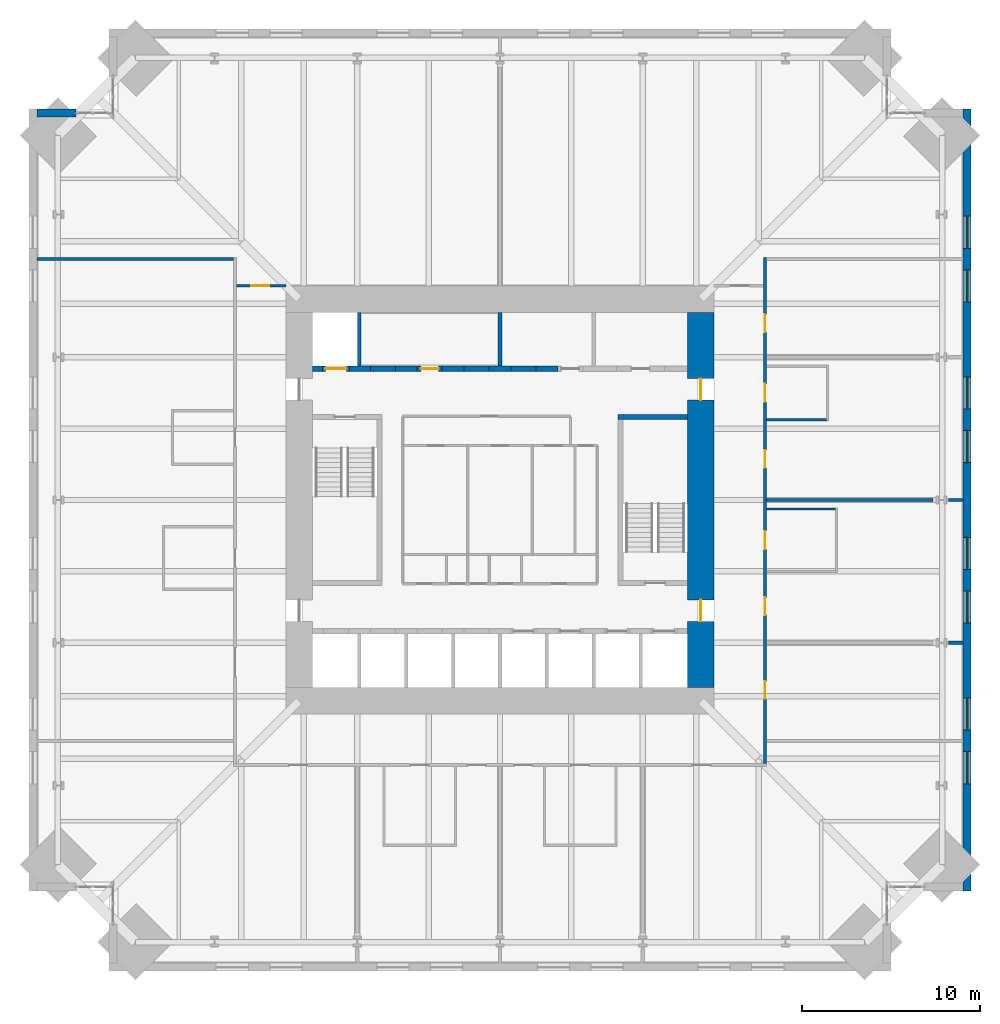
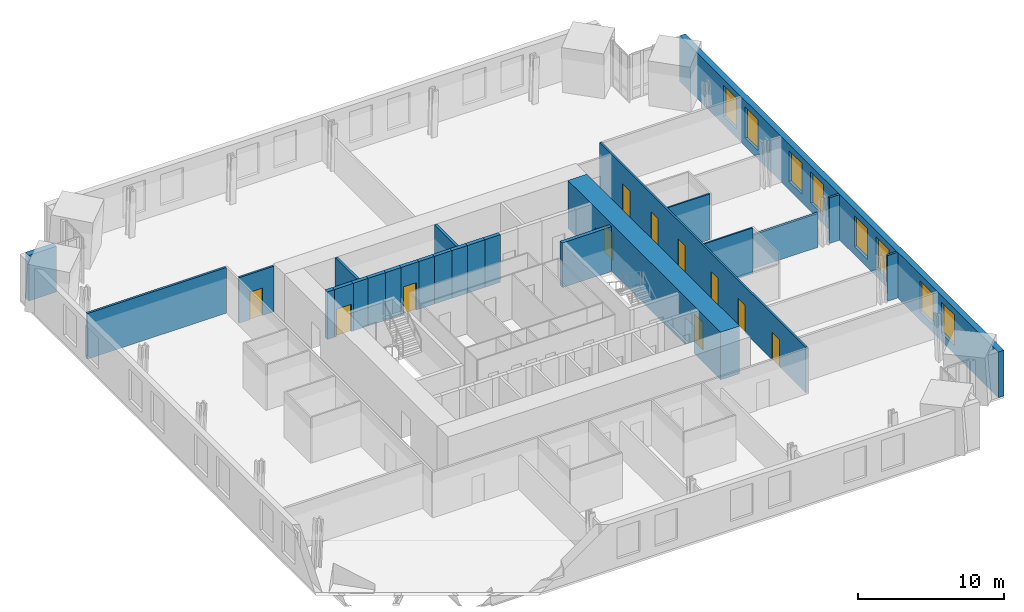
# One storey, part 16 of 18: 25 walls, 11 doors, 8 windows, 19 openings.
"""IFC4 building model written with IfcOpenShell, lengths in metres."""

from ifc_helpers import new_model, si_unit, direction, frame, frame_2d, origin, place, context, subcontext, project, spatial, rectangle, extrude, material, layer, layer_set, type_object, element, fill, save


model = new_model("IFC4")

# Units and contexts
model_context = context("Model", 3, precision=1e-05, world=origin(), true_north=direction((0.0, 1.0)))
body_context = subcontext(model_context, "Body", "Model", "MODEL_VIEW")
ifc_project = project(units=[si_unit("LENGTHUNIT", "METRE"), si_unit("AREAUNIT", "SQUARE_METRE"), si_unit("VOLUMEUNIT", "CUBIC_METRE"), si_unit("PLANEANGLEUNIT", "RADIAN"), si_unit("MASSUNIT", "GRAM", prefix="KILO")], contexts=[model_context])

# Site, building, storey
site_placement = place(None, origin())
site = spatial("IfcSite", under=ifc_project, at=site_placement, CompositionType="ELEMENT")
building_placement = place(site_placement, origin())
building = spatial("IfcBuilding", under=site, at=building_placement, Name="Peilmerk Tower", CompositionType="ELEMENT")
storey_placement = place(building_placement, frame((0.0, 0.0, 151.800048828125)))
storey = spatial("IfcBuildingStorey", under=building, at=storey_placement, Name="L31", CompositionType="ELEMENT", Elevation=151.800048828125)

# Wall, openings, windows
ifc_material_1 = material(Name="Precast concrete C45/55, board-marked finish", Category="concrete")
ifc_layer_1 = layer(ifc_material_1, 0.449951171875)
ifc_layer_set_1 = layer_set([ifc_layer_1], Name="Precast concrete C45/55, board-marked finish")
wall_type_1 = type_object("IfcWallType", Name="EW1 450 precast concrete facade wall, board-marked", PredefinedType="SOLIDWALL", material=ifc_layer_set_1)
wall_1_placement = place(storey_placement, frame((26.175048828125, -21.89990234375, 0.0), z_axis=(0.0, 0.0, 1.0), x_axis=(0.0, 1.0, 0.0)))
wall_1 = element("IfcWall", 1, at=wall_1_placement, inside=storey, type_object=wall_type_1, Name="Facade wall E L31", PredefinedType="SOLIDWALL", context=body_context, shape_type="SweptSolid", body=[
    extrude(rectangle(XDim=43.7998046875, YDim=0.449951171875, at=frame_2d((21.89990234375, 0.0))), origin(), (0.0, 0.0, 1.0), 3.829833984375),
])
opening_1_placement = place(wall_1_placement, frame((6.0, 0.0, 0.699951171875)))
opening_1 = element("IfcOpeningElement", 2, at=opening_1_placement, cuts=wall_1, Name="Opening W1", PredefinedType="OPENING", context=body_context, shape_type="SweptSolid", body=[
    extrude(rectangle(XDim=1.800048828125, YDim=2.60009765625, at=frame_2d((0.89990234375, 1.300048828125))), frame((0.0, 0.23486328125, 0.0), z_axis=(0.0, -1.0, 0.0), x_axis=(1.0, 0.0, 0.0)), (0.0, 0.0, 1.0), 0.469970703125),
])
opening_2_placement = place(wall_1_placement, frame((9.0, 0.0, 0.699951171875)))
opening_2 = element("IfcOpeningElement", 3, at=opening_2_placement, cuts=wall_1, Name="Opening W1", PredefinedType="OPENING", context=body_context, shape_type="SweptSolid", body=[
    extrude(rectangle(XDim=1.800048828125, YDim=2.60009765625, at=frame_2d((0.89990234375, 1.300048828125))), frame((0.0, 0.23486328125, 0.0), z_axis=(0.0, -1.0, 0.0), x_axis=(1.0, 0.0, 0.0)), (0.0, 0.0, 1.0), 0.469970703125),
])
opening_3_placement = place(wall_1_placement, frame((15.0, 0.0, 0.699951171875)))
opening_3 = element("IfcOpeningElement", 4, at=opening_3_placement, cuts=wall_1, Name="Opening W1", PredefinedType="OPENING", context=body_context, shape_type="SweptSolid", body=[
    extrude(rectangle(XDim=1.800048828125, YDim=2.60009765625, at=frame_2d((0.89990234375, 1.300048828125))), frame((0.0, 0.23486328125, 0.0), z_axis=(0.0, -1.0, 0.0), x_axis=(1.0, 0.0, 0.0)), (0.0, 0.0, 1.0), 0.469970703125),
])
opening_4_placement = place(wall_1_placement, frame((18.0, 0.0, 0.699951171875)))
opening_4 = element("IfcOpeningElement", 5, at=opening_4_placement, cuts=wall_1, Name="Opening W1", PredefinedType="OPENING", context=body_context, shape_type="SweptSolid", body=[
    extrude(rectangle(XDim=1.800048828125, YDim=2.60009765625, at=frame_2d((0.89990234375, 1.300048828125))), frame((0.0, 0.23486328125, 0.0), z_axis=(0.0, -1.0, 0.0), x_axis=(1.0, 0.0, 0.0)), (0.0, 0.0, 1.0), 0.469970703125),
])
opening_5_placement = place(wall_1_placement, frame((24.0, 0.0, 0.699951171875)))
opening_5 = element("IfcOpeningElement", 6, at=opening_5_placement, cuts=wall_1, Name="Opening W1", PredefinedType="OPENING", context=body_context, shape_type="SweptSolid", body=[
    extrude(rectangle(XDim=1.800048828125, YDim=2.60009765625, at=frame_2d((0.89990234375, 1.300048828125))), frame((0.0, 0.23486328125, 0.0), z_axis=(0.0, -1.0, 0.0), x_axis=(1.0, 0.0, 0.0)), (0.0, 0.0, 1.0), 0.469970703125),
])
opening_6_placement = place(wall_1_placement, frame((27.0, 0.0, 0.699951171875)))
opening_6 = element("IfcOpeningElement", 7, at=opening_6_placement, cuts=wall_1, Name="Opening W1", PredefinedType="OPENING", context=body_context, shape_type="SweptSolid", body=[
    extrude(rectangle(XDim=1.800048828125, YDim=2.60009765625, at=frame_2d((0.89990234375, 1.300048828125))), frame((0.0, 0.23486328125, 0.0), z_axis=(0.0, -1.0, 0.0), x_axis=(1.0, 0.0, 0.0)), (0.0, 0.0, 1.0), 0.469970703125),
])
opening_7_placement = place(wall_1_placement, frame((33.0, 0.0, 0.699951171875)))
opening_7 = element("IfcOpeningElement", 8, at=opening_7_placement, cuts=wall_1, Name="Opening W1", PredefinedType="OPENING", context=body_context, shape_type="SweptSolid", body=[
    extrude(rectangle(XDim=1.800048828125, YDim=2.60009765625, at=frame_2d((0.89990234375, 1.300048828125))), frame((0.0, 0.23486328125, 0.0), z_axis=(0.0, -1.0, 0.0), x_axis=(1.0, 0.0, 0.0)), (0.0, 0.0, 1.0), 0.469970703125),
])
opening_8_placement = place(wall_1_placement, frame((36.0, 0.0, 0.699951171875)))
opening_8 = element("IfcOpeningElement", 9, at=opening_8_placement, cuts=wall_1, Name="Opening W1", PredefinedType="OPENING", context=body_context, shape_type="SweptSolid", body=[
    extrude(rectangle(XDim=1.800048828125, YDim=2.60009765625, at=frame_2d((0.89990234375, 1.300048828125))), frame((0.0, 0.23486328125, 0.0), z_axis=(0.0, -1.0, 0.0), x_axis=(1.0, 0.0, 0.0)), (0.0, 0.0, 1.0), 0.469970703125),
])
ifc_material_2 = material(Name="Aluminium frame, clear double glazing", Category="aluminium")
window_type = type_object("IfcWindowType", Name="W1 1800x2600 office window", PartitioningType="SINGLE_PANEL", PredefinedType="WINDOW", material=ifc_material_2)
window_1_placement = place(opening_1_placement, origin())
window_1 = element("IfcWindow", 10, at=window_1_placement, inside=storey, type_object=window_type, Name="Window W1 L31", OverallHeight=2.60009765625, OverallWidth=1.800048828125, PartitioningType="SINGLE_PANEL", PredefinedType="WINDOW", context=body_context, shape_type="SweptSolid", body=[
    extrude(rectangle(XDim=1.800048828125, YDim=2.60009765625, at=frame_2d((0.89990234375, 1.300048828125))), frame((0.0, 0.030029296875, 0.0), z_axis=(0.0, -1.0, 0.0), x_axis=(1.0, 0.0, 0.0)), (0.0, 0.0, 1.0), 0.06005859375),
])
fill(opening_1, window_1)
window_2_placement = place(opening_2_placement, origin())
window_2 = element("IfcWindow", 11, at=window_2_placement, inside=storey, type_object=window_type, Name="Window W1 L31", OverallHeight=2.60009765625, OverallWidth=1.800048828125, PartitioningType="SINGLE_PANEL", PredefinedType="WINDOW", context=body_context, shape_type="SweptSolid", body=[
    extrude(rectangle(XDim=1.800048828125, YDim=2.60009765625, at=frame_2d((0.89990234375, 1.300048828125))), frame((0.0, 0.030029296875, 0.0), z_axis=(0.0, -1.0, 0.0), x_axis=(1.0, 0.0, 0.0)), (0.0, 0.0, 1.0), 0.06005859375),
])
fill(opening_2, window_2)
window_3_placement = place(opening_3_placement, origin())
window_3 = element("IfcWindow", 12, at=window_3_placement, inside=storey, type_object=window_type, Name="Window W1 L31", OverallHeight=2.60009765625, OverallWidth=1.800048828125, PartitioningType="SINGLE_PANEL", PredefinedType="WINDOW", context=body_context, shape_type="SweptSolid", body=[
    extrude(rectangle(XDim=1.800048828125, YDim=2.60009765625, at=frame_2d((0.89990234375, 1.300048828125))), frame((0.0, 0.030029296875, 0.0), z_axis=(0.0, -1.0, 0.0), x_axis=(1.0, 0.0, 0.0)), (0.0, 0.0, 1.0), 0.06005859375),
])
fill(opening_3, window_3)
window_4_placement = place(opening_4_placement, origin())
window_4 = element("IfcWindow", 13, at=window_4_placement, inside=storey, type_object=window_type, Name="Window W1 L31", OverallHeight=2.60009765625, OverallWidth=1.800048828125, PartitioningType="SINGLE_PANEL", PredefinedType="WINDOW", context=body_context, shape_type="SweptSolid", body=[
    extrude(rectangle(XDim=1.800048828125, YDim=2.60009765625, at=frame_2d((0.89990234375, 1.300048828125))), frame((0.0, 0.030029296875, 0.0), z_axis=(0.0, -1.0, 0.0), x_axis=(1.0, 0.0, 0.0)), (0.0, 0.0, 1.0), 0.06005859375),
])
fill(opening_4, window_4)
window_5_placement = place(opening_5_placement, origin())
window_5 = element("IfcWindow", 14, at=window_5_placement, inside=storey, type_object=window_type, Name="Window W1 L31", OverallHeight=2.60009765625, OverallWidth=1.800048828125, PartitioningType="SINGLE_PANEL", PredefinedType="WINDOW", context=body_context, shape_type="SweptSolid", body=[
    extrude(rectangle(XDim=1.800048828125, YDim=2.60009765625, at=frame_2d((0.89990234375, 1.300048828125))), frame((0.0, 0.030029296875, 0.0), z_axis=(0.0, -1.0, 0.0), x_axis=(1.0, 0.0, 0.0)), (0.0, 0.0, 1.0), 0.06005859375),
])
fill(opening_5, window_5)
window_6_placement = place(opening_6_placement, origin())
window_6 = element("IfcWindow", 15, at=window_6_placement, inside=storey, type_object=window_type, Name="Window W1 L31", OverallHeight=2.60009765625, OverallWidth=1.800048828125, PartitioningType="SINGLE_PANEL", PredefinedType="WINDOW", context=body_context, shape_type="SweptSolid", body=[
    extrude(rectangle(XDim=1.800048828125, YDim=2.60009765625, at=frame_2d((0.89990234375, 1.300048828125))), frame((0.0, 0.030029296875, 0.0), z_axis=(0.0, -1.0, 0.0), x_axis=(1.0, 0.0, 0.0)), (0.0, 0.0, 1.0), 0.06005859375),
])
fill(opening_6, window_6)
window_7_placement = place(opening_7_placement, origin())
window_7 = element("IfcWindow", 16, at=window_7_placement, inside=storey, type_object=window_type, Name="Window W1 L31", OverallHeight=2.60009765625, OverallWidth=1.800048828125, PartitioningType="SINGLE_PANEL", PredefinedType="WINDOW", context=body_context, shape_type="SweptSolid", body=[
    extrude(rectangle(XDim=1.800048828125, YDim=2.60009765625, at=frame_2d((0.89990234375, 1.300048828125))), frame((0.0, 0.030029296875, 0.0), z_axis=(0.0, -1.0, 0.0), x_axis=(1.0, 0.0, 0.0)), (0.0, 0.0, 1.0), 0.06005859375),
])
fill(opening_7, window_7)
window_8_placement = place(opening_8_placement, origin())
window_8 = element("IfcWindow", 17, at=window_8_placement, inside=storey, type_object=window_type, Name="Window W1 L31", OverallHeight=2.60009765625, OverallWidth=1.800048828125, PartitioningType="SINGLE_PANEL", PredefinedType="WINDOW", context=body_context, shape_type="SweptSolid", body=[
    extrude(rectangle(XDim=1.800048828125, YDim=2.60009765625, at=frame_2d((0.89990234375, 1.300048828125))), frame((0.0, 0.030029296875, 0.0), z_axis=(0.0, -1.0, 0.0), x_axis=(1.0, 0.0, 0.0)), (0.0, 0.0, 1.0), 0.06005859375),
])
fill(opening_8, window_8)

# Wall
wall_2_placement = place(storey_placement, frame((-23.753662109375, 21.675048828125, 0.0), z_axis=(0.0, 0.0, 1.0), x_axis=(-1.0, 0.0, 0.0)))
element("IfcWall", 18, at=wall_2_placement, inside=storey, type_object=wall_type_1, Name="Facade wall NWB L31", PredefinedType="SOLIDWALL", context=body_context, shape_type="SweptSolid", body=[
    extrude(rectangle(XDim=2.1962890625, YDim=0.449951171875, at=frame_2d((1.09814453125, 0.0))), origin(), (0.0, 0.0, 1.0), 3.829833984375),
])

# Wall, openings, doors
ifc_material_3 = material(Name="Calcium silicate block", Category="masonry")
ifc_layer_2 = layer(ifc_material_3, 0.14990234375)
ifc_layer_set_2 = layer_set([ifc_layer_2], Name="Calcium silicate block")
wall_type_2 = type_object("IfcWallType", Name="IW1 150 corridor partition, EI 60", PredefinedType="PARTITIONING", material=ifc_layer_set_2)
wall_3_placement = place(storey_placement, frame((14.85009765625, -14.77490234375, 0.0), z_axis=(0.0, 0.0, 1.0), x_axis=(0.0, 1.0, 0.0)))
wall_3 = element("IfcWall", 19, at=wall_3_placement, inside=storey, type_object=wall_type_2, Name="Corridor wall E L31", PredefinedType="PARTITIONING", context=body_context, shape_type="SweptSolid", body=[
    extrude(rectangle(XDim=28.349853515625, YDim=0.14990234375, at=frame_2d((14.1748046875, 0.0))), origin(), (0.0, 0.0, 1.0), 3.829833984375),
])
opening_9_placement = place(wall_3_placement, frame((3.625, 0.0, 0.0)))
opening_9 = element("IfcOpeningElement", 20, at=opening_9_placement, cuts=wall_3, Name="Opening D1", PredefinedType="OPENING", context=body_context, shape_type="SweptSolid", body=[
    extrude(rectangle(XDim=1.0, YDim=2.300048828125, at=frame_2d((0.5, 1.14990234375))), frame((0.0, 0.0849609375, 0.0), z_axis=(0.0, -1.0, 0.0), x_axis=(1.0, 0.0, 0.0)), (0.0, 0.0, 1.0), 0.169921875),
])
opening_10_placement = place(wall_3_placement, frame((8.324951171875, 0.0, 0.0)))
opening_10 = element("IfcOpeningElement", 21, at=opening_10_placement, cuts=wall_3, Name="Opening D1", PredefinedType="OPENING", context=body_context, shape_type="SweptSolid", body=[
    extrude(rectangle(XDim=1.0, YDim=2.300048828125, at=frame_2d((0.5, 1.14990234375))), frame((0.0, 0.0849609375, 0.0), z_axis=(0.0, -1.0, 0.0), x_axis=(1.0, 0.0, 0.0)), (0.0, 0.0, 1.0), 0.169921875),
])
opening_11_placement = place(wall_3_placement, frame((16.574951171875, 0.0, 0.0)))
opening_11 = element("IfcOpeningElement", 22, at=opening_11_placement, cuts=wall_3, Name="Opening D1", PredefinedType="OPENING", context=body_context, shape_type="SweptSolid", body=[
    extrude(rectangle(XDim=1.0, YDim=2.300048828125, at=frame_2d((0.5, 1.14990234375))), frame((0.0, 0.0849609375, 0.0), z_axis=(0.0, -1.0, 0.0), x_axis=(1.0, 0.0, 0.0)), (0.0, 0.0, 1.0), 0.169921875),
])
opening_12_placement = place(wall_3_placement, frame((24.175048828125, 0.0, 0.0)))
opening_12 = element("IfcOpeningElement", 23, at=opening_12_placement, cuts=wall_3, Name="Opening D1", PredefinedType="OPENING", context=body_context, shape_type="SweptSolid", body=[
    extrude(rectangle(XDim=1.0, YDim=2.300048828125, at=frame_2d((0.5, 1.14990234375))), frame((0.0, 0.0849609375, 0.0), z_axis=(0.0, -1.0, 0.0), x_axis=(1.0, 0.0, 0.0)), (0.0, 0.0, 1.0), 0.169921875),
])
opening_13_placement = place(wall_3_placement, frame((20.27490234375, 0.0, 0.0)))
opening_13 = element("IfcOpeningElement", 24, at=opening_13_placement, cuts=wall_3, Name="Opening D1", PredefinedType="OPENING", context=body_context, shape_type="SweptSolid", body=[
    extrude(rectangle(XDim=1.0, YDim=2.300048828125, at=frame_2d((0.5, 1.14990234375))), frame((0.0, 0.0849609375, 0.0), z_axis=(0.0, -1.0, 0.0), x_axis=(1.0, 0.0, 0.0)), (0.0, 0.0, 1.0), 0.169921875),
])
opening_14_placement = place(wall_3_placement, frame((12.02490234375, 0.0, 0.0)))
opening_14 = element("IfcOpeningElement", 25, at=opening_14_placement, cuts=wall_3, Name="Opening D1", PredefinedType="OPENING", context=body_context, shape_type="SweptSolid", body=[
    extrude(rectangle(XDim=1.0, YDim=2.300048828125, at=frame_2d((0.5, 1.14990234375))), frame((0.0, 0.0849609375, 0.0), z_axis=(0.0, -1.0, 0.0), x_axis=(1.0, 0.0, 0.0)), (0.0, 0.0, 1.0), 0.169921875),
])
ifc_material_4 = material(Name="Timber door in steel frame", Category="steel")
door_type_1 = type_object("IfcDoorType", Name="D1 1000x2300 room door, EI2 30", OperationType="SINGLE_SWING_LEFT", PredefinedType="DOOR", material=ifc_material_4)
door_1_placement = place(opening_9_placement, frame((1.0, 0.0, 0.0), z_axis=(0.0, 0.0, 1.0), x_axis=(-1.0, 0.0, 0.0)))
door_1 = element("IfcDoor", 26, at=door_1_placement, inside=storey, type_object=door_type_1, Name="Door Quiet room L31", OperationType="SINGLE_SWING_LEFT", OverallHeight=2.300048828125, OverallWidth=1.0, PredefinedType="DOOR", context=body_context, shape_type="SweptSolid", body=[
    extrude(rectangle(XDim=1.0, YDim=2.300048828125, at=frame_2d((0.5, 1.14990234375))), frame((0.0, 0.02490234375, 0.0), z_axis=(0.0, -1.0, 0.0), x_axis=(1.0, 0.0, 0.0)), (0.0, 0.0, 1.0), 0.050048828125),
])
fill(opening_9, door_1)
door_2_placement = place(opening_10_placement, frame((1.0, 0.0, 0.0), z_axis=(0.0, 0.0, 1.0), x_axis=(-1.0, 0.0, 0.0)))
door_2 = element("IfcDoor", 27, at=door_2_placement, inside=storey, type_object=door_type_1, Name="Door Office L31", OperationType="SINGLE_SWING_LEFT", OverallHeight=2.300048828125, OverallWidth=1.0, PredefinedType="DOOR", context=body_context, shape_type="SweptSolid", body=[
    extrude(rectangle(XDim=1.0, YDim=2.300048828125, at=frame_2d((0.5, 1.14990234375))), frame((0.0, 0.02490234375, 0.0), z_axis=(0.0, -1.0, 0.0), x_axis=(1.0, 0.0, 0.0)), (0.0, 0.0, 1.0), 0.050048828125),
])
fill(opening_10, door_2)
door_3_placement = place(opening_11_placement, frame((1.0, 0.0, 0.0), z_axis=(0.0, 0.0, 1.0), x_axis=(-1.0, 0.0, 0.0)))
door_3 = element("IfcDoor", 28, at=door_3_placement, inside=storey, type_object=door_type_1, Name="Door Office L31", OperationType="SINGLE_SWING_LEFT", OverallHeight=2.300048828125, OverallWidth=1.0, PredefinedType="DOOR", context=body_context, shape_type="SweptSolid", body=[
    extrude(rectangle(XDim=1.0, YDim=2.300048828125, at=frame_2d((0.5, 1.14990234375))), frame((0.0, 0.02490234375, 0.0), z_axis=(0.0, -1.0, 0.0), x_axis=(1.0, 0.0, 0.0)), (0.0, 0.0, 1.0), 0.050048828125),
])
fill(opening_11, door_3)
door_4_placement = place(opening_12_placement, frame((1.0, 0.0, 0.0), z_axis=(0.0, 0.0, 1.0), x_axis=(-1.0, 0.0, 0.0)))
door_4 = element("IfcDoor", 29, at=door_4_placement, inside=storey, type_object=door_type_1, Name="Door Wellness room L31", OperationType="SINGLE_SWING_LEFT", OverallHeight=2.300048828125, OverallWidth=1.0, PredefinedType="DOOR", context=body_context, shape_type="SweptSolid", body=[
    extrude(rectangle(XDim=1.0, YDim=2.300048828125, at=frame_2d((0.5, 1.14990234375))), frame((0.0, 0.02490234375, 0.0), z_axis=(0.0, -1.0, 0.0), x_axis=(1.0, 0.0, 0.0)), (0.0, 0.0, 1.0), 0.050048828125),
])
fill(opening_12, door_4)
door_5_placement = place(opening_13_placement, frame((1.0, 0.0, 0.0), z_axis=(0.0, 0.0, 1.0), x_axis=(-1.0, 0.0, 0.0)))
door_5 = element("IfcDoor", 30, at=door_5_placement, inside=storey, type_object=door_type_1, Name="Door Focus room L31", OperationType="SINGLE_SWING_LEFT", OverallHeight=2.300048828125, OverallWidth=1.0, PredefinedType="DOOR", context=body_context, shape_type="SweptSolid", body=[
    extrude(rectangle(XDim=1.0, YDim=2.300048828125, at=frame_2d((0.5, 1.14990234375))), frame((0.0, 0.02490234375, 0.0), z_axis=(0.0, -1.0, 0.0), x_axis=(1.0, 0.0, 0.0)), (0.0, 0.0, 1.0), 0.050048828125),
])
fill(opening_13, door_5)
door_6_placement = place(opening_14_placement, frame((1.0, 0.0, 0.0), z_axis=(0.0, 0.0, 1.0), x_axis=(-1.0, 0.0, 0.0)))
door_6 = element("IfcDoor", 31, at=door_6_placement, inside=storey, type_object=door_type_1, Name="Door Meeting room L31", OperationType="SINGLE_SWING_LEFT", OverallHeight=2.300048828125, OverallWidth=1.0, PredefinedType="DOOR", context=body_context, shape_type="SweptSolid", body=[
    extrude(rectangle(XDim=1.0, YDim=2.300048828125, at=frame_2d((0.5, 1.14990234375))), frame((0.0, 0.02490234375, 0.0), z_axis=(0.0, -1.0, 0.0), x_axis=(1.0, 0.0, 0.0)), (0.0, 0.0, 1.0), 0.050048828125),
])
fill(opening_14, door_6)

# Wall, opening, door
wall_4_placement = place(storey_placement, frame((-14.77490234375, 12.0, 0.0), z_axis=(0.0, 0.0, 1.0), x_axis=(1.0, 0.0, 0.0)))
wall_4 = element("IfcWall", 32, at=wall_4_placement, inside=storey, type_object=wall_type_2, Name="Corridor wall NW L31", PredefinedType="PARTITIONING", context=body_context, shape_type="SweptSolid", body=[
    extrude(rectangle(XDim=2.77490234375, YDim=0.14990234375, at=frame_2d((1.387451171875, 0.0))), origin(), (0.0, 0.0, 1.0), 3.829833984375),
])
opening_15_placement = place(wall_4_placement, frame((0.85009765625, 0.0, 0.0)))
opening_15 = element("IfcOpeningElement", 33, at=opening_15_placement, cuts=wall_4, Name="Opening D1", PredefinedType="OPENING", context=body_context, shape_type="SweptSolid", body=[
    extrude(rectangle(XDim=1.0, YDim=2.300048828125, at=frame_2d((0.5, 1.14990234375))), frame((0.0, 0.0849609375, 0.0), z_axis=(0.0, -1.0, 0.0), x_axis=(1.0, 0.0, 0.0)), (0.0, 0.0, 1.0), 0.169921875),
])
door_7_placement = place(opening_15_placement, origin())
door_7 = element("IfcDoor", 34, at=door_7_placement, inside=storey, type_object=door_type_1, Name="Door Open workspace L31", OperationType="SINGLE_SWING_LEFT", OverallHeight=2.300048828125, OverallWidth=1.0, PredefinedType="DOOR", context=body_context, shape_type="SweptSolid", body=[
    extrude(rectangle(XDim=1.0, YDim=2.300048828125, at=frame_2d((0.5, 1.14990234375))), frame((0.0, 0.02490234375, 0.0), z_axis=(0.0, -1.0, 0.0), x_axis=(1.0, 0.0, 0.0)), (0.0, 0.0, 1.0), 0.050048828125),
])
fill(opening_15, door_7)

# Walls
ifc_material_5 = material(Name="Concrete C35/45", Category="concrete")
ifc_layer_3 = layer(ifc_material_5, 0.300048828125)
ifc_layer_set_3 = layer_set([ifc_layer_3], Name="Concrete C35/45")
wall_type_3 = type_object("IfcWallType", Name="IW3 300 concrete stair enclosure wall, EI 120", PredefinedType="SOLIDWALL", material=ifc_layer_set_3)
wall_5_placement = place(storey_placement, frame((6.60009765625, 4.64990234375, 0.0), z_axis=(0.0, 0.0, 1.0), x_axis=(1.0, 0.0, 0.0)))
element("IfcWall", 35, at=wall_5_placement, inside=storey, type_object=wall_type_3, Name="Stair 2 enclosure L31", PredefinedType="SOLIDWALL", context=body_context, shape_type="SweptSolid", body=[
    extrude(rectangle(XDim=3.89990234375, YDim=0.300048828125, at=frame_2d((1.949951171875, 0.0))), origin(), (0.0, 0.0, 1.0), 3.75),
])
ifc_material_6 = material(Name="Plasterboard on steel studs, double boarded with mineral wool", Category="steel")
ifc_layer_4 = layer(ifc_material_6, 0.125)
ifc_layer_set_4 = layer_set([ifc_layer_4], Name="Plasterboard on steel studs, double boarded with mineral wool")
wall_type_4 = type_object("IfcWallType", Name="IW7 125 acoustic partition, EI 30", PredefinedType="PARTITIONING", material=ifc_layer_set_4)
wall_6_placement = place(storey_placement, frame((14.925048828125, 4.5, 0.0), z_axis=(0.0, 0.0, 1.0), x_axis=(1.0, 0.0, 0.0)))
element("IfcWall", 36, at=wall_6_placement, inside=storey, type_object=wall_type_4, Name="Acoustic partition Focus room L31", PredefinedType="PARTITIONING", context=body_context, shape_type="SweptSolid", body=[
    extrude(rectangle(XDim=3.362548828125, YDim=0.125, at=frame_2d((1.68115234375, 0.0))), origin(), (0.0, 0.0, 1.0), 3.829833984375),
])
wall_7_placement = place(storey_placement, frame((14.925048828125, -0.5, 0.0), z_axis=(0.0, 0.0, 1.0), x_axis=(1.0, 0.0, 0.0)))
element("IfcWall", 37, at=wall_7_placement, inside=storey, type_object=wall_type_4, Name="Acoustic partition Meeting room L31", PredefinedType="PARTITIONING", context=body_context, shape_type="SweptSolid", body=[
    extrude(rectangle(XDim=3.862548828125, YDim=0.125, at=frame_2d((1.93115234375, 0.0))), origin(), (0.0, 0.0, 1.0), 3.829833984375),
])
ifc_layer_5 = layer(ifc_material_3, 0.175048828125)
ifc_layer_set_5 = layer_set([ifc_layer_5], Name="Calcium silicate block")
wall_type_5 = type_object("IfcWallType", Name="IW8 175 tenant separating wall, EI 60", PredefinedType="PARTITIONING", material=ifc_layer_set_5)
wall_8_placement = place(storey_placement, frame((-25.949951171875, 13.5, 0.0), z_axis=(0.0, 0.0, 1.0), x_axis=(1.0, 0.0, 0.0)))
element("IfcWall", 38, at=wall_8_placement, inside=storey, type_object=wall_type_5, Name="Tenant separating wall NW L31", PredefinedType="PARTITIONING", context=body_context, shape_type="SweptSolid", body=[
    extrude(rectangle(XDim=11.02490234375, YDim=0.175048828125, at=frame_2d((5.512451171875, 0.0))), origin(), (0.0, 0.0, 1.0), 3.829833984375),
])
wall_9_placement = place(storey_placement, frame((25.1396484375, -8.0, 0.0), z_axis=(0.0, 0.0, 1.0), x_axis=(1.0, 0.0, 0.0)))
element("IfcWall", 39, at=wall_9_placement, inside=storey, type_object=wall_type_5, Name="Tenant separating wall E1b L31", PredefinedType="PARTITIONING", context=body_context, shape_type="SweptSolid", body=[
    extrude(rectangle(XDim=0.810302734375, YDim=0.175048828125, at=frame_2d((0.4052734375, 0.0))), origin(), (0.0, 0.0, 1.0), 3.829833984375),
])
wall_10_placement = place(storey_placement, frame((14.925048828125, 0.0, 0.0), z_axis=(0.0, 0.0, 1.0), x_axis=(1.0, 0.0, 0.0)))
element("IfcWall", 40, at=wall_10_placement, inside=storey, type_object=wall_type_5, Name="Tenant separating wall E2 L31", PredefinedType="PARTITIONING", context=body_context, shape_type="SweptSolid", body=[
    extrude(rectangle(XDim=9.325439453125, YDim=0.175048828125, at=frame_2d((4.66259765625, 0.0))), origin(), (0.0, 0.0, 1.0), 2.83984375),
])
wall_11_placement = place(storey_placement, frame((25.1396484375, 0.0, 0.0), z_axis=(0.0, 0.0, 1.0), x_axis=(1.0, 0.0, 0.0)))
element("IfcWall", 41, at=wall_11_placement, inside=storey, type_object=wall_type_5, Name="Tenant separating wall E2b L31", PredefinedType="PARTITIONING", context=body_context, shape_type="SweptSolid", body=[
    extrude(rectangle(XDim=0.810302734375, YDim=0.175048828125, at=frame_2d((0.4052734375, 0.0))), origin(), (0.0, 0.0, 1.0), 3.829833984375),
])
ifc_layer_6 = layer(ifc_material_3, 0.199951171875)
ifc_layer_set_6 = layer_set([ifc_layer_6], Name="Calcium silicate block")
wall_type_6 = type_object("IfcWallType", Name="SH1 200 shaft dividing wall, EI 120", PredefinedType="PARTITIONING", material=ifc_layer_set_6)
for number, where, z_axis, x_axis, name in (
    (42, (-7.875, 7.5, 0.0), (0.0, 0.0, 1.0), (0.0, 1.0, 0.0), "Shaft wall N FL1 L31"),
    (43, (0.0, 7.5, 0.0), (0.0, 0.0, 1.0), (0.0, 1.0, 0.0), "Shaft wall N A3 L31"),
):
    element("IfcWall", number, at=place(storey_placement, frame(where, z_axis=z_axis, x_axis=x_axis)), inside=storey, type_object=wall_type_6, Name=name, PredefinedType="PARTITIONING", context=body_context, shape_type="SweptSolid", body=[
        extrude(rectangle(XDim=3.0, YDim=0.199951171875, at=frame_2d((1.5, 0.0))), origin(), (0.0, 0.0, 1.0), 4.0),
    ])

# Wall, opening, door
ifc_layer_7 = layer(ifc_material_3, 0.300048828125)
ifc_layer_set_7 = layer_set([ifc_layer_7], Name="Calcium silicate block")
wall_type_7 = type_object("IfcWallType", Name="SH2 300 lift landing door panel, EI 120", PredefinedType="PARTITIONING", material=ifc_layer_set_7)
wall_12_placement = place(storey_placement, frame((-9.9375, 7.35009765625, 0.0), z_axis=(0.0, 0.0, 1.0), x_axis=(1.0, 0.0, 0.0)))
wall_12 = element("IfcWall", 44, at=wall_12_placement, inside=storey, type_object=wall_type_7, Name="Lift door panel N FL1 L31", PredefinedType="PARTITIONING", context=body_context, shape_type="SweptSolid", body=[
    extrude(rectangle(XDim=1.5, YDim=0.300048828125, at=frame_2d((0.75, 0.0))), origin(), (0.0, 0.0, 1.0), 4.0),
])
opening_16_placement = place(wall_12_placement, frame((0.14990234375, 0.0, 0.0)))
opening_16 = element("IfcOpeningElement", 45, at=opening_16_placement, cuts=wall_12, Name="Opening LD2", PredefinedType="OPENING", context=body_context, shape_type="SweptSolid", body=[
    extrude(rectangle(XDim=1.199951171875, YDim=2.300048828125, at=frame_2d((0.60009765625, 1.14990234375))), frame((0.0, 0.159912109375, 0.0), z_axis=(0.0, -1.0, 0.0), x_axis=(1.0, 0.0, 0.0)), (0.0, 0.0, 1.0), 0.320068359375),
])
ifc_material_7 = material(Name="Stainless steel landing door", Category="steel")
door_type_2 = type_object("IfcDoorType", Name="LD2 1200x2300 lift landing door, sliding, EI2 60", OperationType="SLIDING_TO_LEFT", PredefinedType="DOOR", material=ifc_material_7)
door_8_placement = place(opening_16_placement, frame((1.199951171875, 0.0, 0.0), z_axis=(0.0, 0.0, 1.0), x_axis=(-1.0, 0.0, 0.0)))
door_8 = element("IfcDoor", 46, at=door_8_placement, inside=storey, type_object=door_type_2, Name="Lift landing door FL1 L31", OperationType="SLIDING_TO_LEFT", OverallHeight=2.300048828125, OverallWidth=1.199951171875, PredefinedType="DOOR", context=body_context, shape_type="SweptSolid", body=[
    extrude(rectangle(XDim=1.199951171875, YDim=2.300048828125, at=frame_2d((0.60009765625, 1.14990234375))), frame((0.0, 0.02490234375, 0.0), z_axis=(0.0, -1.0, 0.0), x_axis=(1.0, 0.0, 0.0)), (0.0, 0.0, 1.0), 0.050048828125),
])
fill(opening_16, door_8)

# Wall
wall_13_placement = place(storey_placement, frame((-7.262451171875, 7.35009765625, 0.0), z_axis=(0.0, 0.0, 1.0), x_axis=(1.0, 0.0, 0.0)))
element("IfcWall", 47, at=wall_13_placement, inside=storey, type_object=wall_type_7, Name="Lift door panel N A1 L31", PredefinedType="PARTITIONING", context=body_context, shape_type="SweptSolid", body=[
    extrude(rectangle(XDim=1.39990234375, YDim=0.300048828125, at=frame_2d((0.699951171875, 0.0))), origin(), (0.0, 0.0, 1.0), 4.0),
])

# Wall, opening, door
wall_14_placement = place(storey_placement, frame((-4.637451171875, 7.35009765625, 0.0), z_axis=(0.0, 0.0, 1.0), x_axis=(1.0, 0.0, 0.0)))
wall_14 = element("IfcWall", 48, at=wall_14_placement, inside=storey, type_object=wall_type_7, Name="Lift door panel N A2 L31", PredefinedType="PARTITIONING", context=body_context, shape_type="SweptSolid", body=[
    extrude(rectangle(XDim=1.39990234375, YDim=0.300048828125, at=frame_2d((0.699951171875, 0.0))), origin(), (0.0, 0.0, 1.0), 4.0),
])
opening_17_placement = place(wall_14_placement, frame((0.199951171875, 0.0, 0.0)))
opening_17 = element("IfcOpeningElement", 49, at=opening_17_placement, cuts=wall_14, Name="Opening D10", PredefinedType="OPENING", context=body_context, shape_type="SweptSolid", body=[
    extrude(rectangle(XDim=1.0, YDim=2.300048828125, at=frame_2d((0.5, 1.14990234375))), frame((0.0, 0.159912109375, 0.0), z_axis=(0.0, -1.0, 0.0), x_axis=(1.0, 0.0, 0.0)), (0.0, 0.0, 1.0), 0.320068359375),
])
ifc_material_8 = material(Name="Steel door in steel frame", Category="steel")
door_type_3 = type_object("IfcDoorType", Name="D10 1000x2300 core room door, EI2 60", OperationType="SINGLE_SWING_RIGHT", PredefinedType="DOOR", material=ifc_material_8)
door_9_placement = place(opening_17_placement, origin())
door_9 = element("IfcDoor", 50, at=door_9_placement, inside=storey, type_object=door_type_3, Name="Door Back-of-house office L31", OperationType="SINGLE_SWING_RIGHT", OverallHeight=2.300048828125, OverallWidth=1.0, PredefinedType="DOOR", context=body_context, shape_type="SweptSolid", body=[
    extrude(rectangle(XDim=1.0, YDim=2.300048828125, at=frame_2d((0.5, 1.14990234375))), frame((0.0, 0.02490234375, 0.0), z_axis=(0.0, -1.0, 0.0), x_axis=(1.0, 0.0, 0.0)), (0.0, 0.0, 1.0), 0.050048828125),
])
fill(opening_17, door_9)

# Walls
for number, where, z_axis, x_axis, name in (
    (51, (-2.012451171875, 7.35009765625, 0.0), (0.0, 0.0, 1.0), (1.0, 0.0, 0.0), "Lift door panel N A3 L31"),
    (52, (0.612548828125, 7.35009765625, 0.0), (0.0, 0.0, 1.0), (1.0, 0.0, 0.0), "Lift door panel N S1 L31"),
):
    element("IfcWall", number, at=place(storey_placement, frame(where, z_axis=z_axis, x_axis=x_axis)), inside=storey, type_object=wall_type_7, Name=name, PredefinedType="PARTITIONING", context=body_context, shape_type="SweptSolid", body=[
        extrude(rectangle(XDim=1.39990234375, YDim=0.300048828125, at=frame_2d((0.699951171875, 0.0))), origin(), (0.0, 0.0, 1.0), 4.0),
    ])

# Wall, openings, doors
ifc_material_9 = material(Name="Concrete C55/67", Category="concrete")
ifc_layer_8 = layer(ifc_material_9, 1.5)
ifc_layer_set_8 = layer_set([ifc_layer_8], Name="Concrete C55/67")
wall_type_8 = type_object("IfcWallType", Name="SW1 1500 core wall", PredefinedType="SHEAR", material=ifc_layer_set_8)
wall_15_placement = place(storey_placement, frame((11.25, 10.5, 0.0), z_axis=(0.0, 0.0, 1.0), x_axis=(0.0, -1.0, 0.0)))
wall_15 = element("IfcWall", 53, at=wall_15_placement, inside=storey, type_object=wall_type_8, Name="Core wall E L31", PredefinedType="SHEAR", context=body_context, shape_type="SweptSolid", body=[
    extrude(rectangle(XDim=21.0, YDim=1.5, at=frame_2d((10.5, 0.0))), origin(), (0.0, 0.0, 1.0), 4.0),
])
opening_18_placement = place(wall_15_placement, frame((3.699951171875, 0.0, 0.0)))
opening_18 = element("IfcOpeningElement", 54, at=opening_18_placement, cuts=wall_15, Name="Opening D3", PredefinedType="OPENING", context=body_context, shape_type="SweptSolid", body=[
    extrude(rectangle(XDim=1.199951171875, YDim=2.300048828125, at=frame_2d((0.60009765625, 1.14990234375))), frame((0.0, 0.760009765625, 0.0), z_axis=(0.0, -1.0, 0.0), x_axis=(1.0, 0.0, 0.0)), (0.0, 0.0, 1.0), 1.52001953125),
])
opening_19_placement = place(wall_15_placement, frame((16.10009765625, 0.0, 0.0)))
opening_19 = element("IfcOpeningElement", 55, at=opening_19_placement, cuts=wall_15, Name="Opening D3", PredefinedType="OPENING", context=body_context, shape_type="SweptSolid", body=[
    extrude(rectangle(XDim=1.199951171875, YDim=2.300048828125, at=frame_2d((0.60009765625, 1.14990234375))), frame((0.0, 0.760009765625, 0.0), z_axis=(0.0, -1.0, 0.0), x_axis=(1.0, 0.0, 0.0)), (0.0, 0.0, 1.0), 1.52001953125),
])
door_type_4 = type_object("IfcDoorType", Name="D3 1200x2300 core door, EI2 60", OperationType="SINGLE_SWING_LEFT", PredefinedType="DOOR", material=ifc_material_8)
door_10_placement = place(opening_18_placement, frame((1.199951171875, 0.0, 0.0), z_axis=(0.0, 0.0, 1.0), x_axis=(-1.0, 0.0, 0.0)))
door_10 = element("IfcDoor", 56, at=door_10_placement, inside=storey, type_object=door_type_4, Name="Core door L31", OperationType="SINGLE_SWING_LEFT", OverallHeight=2.300048828125, OverallWidth=1.199951171875, PredefinedType="DOOR", context=body_context, shape_type="SweptSolid", body=[
    extrude(rectangle(XDim=1.199951171875, YDim=2.300048828125, at=frame_2d((0.60009765625, 1.14990234375))), frame((0.0, 0.02490234375, 0.0), z_axis=(0.0, -1.0, 0.0), x_axis=(1.0, 0.0, 0.0)), (0.0, 0.0, 1.0), 0.050048828125),
])
fill(opening_18, door_10)
door_11_placement = place(opening_19_placement, frame((1.199951171875, 0.0, 0.0), z_axis=(0.0, 0.0, 1.0), x_axis=(-1.0, 0.0, 0.0)))
door_11 = element("IfcDoor", 57, at=door_11_placement, inside=storey, type_object=door_type_4, Name="Core door L31", OperationType="SINGLE_SWING_LEFT", OverallHeight=2.300048828125, OverallWidth=1.199951171875, PredefinedType="DOOR", context=body_context, shape_type="SweptSolid", body=[
    extrude(rectangle(XDim=1.199951171875, YDim=2.300048828125, at=frame_2d((0.60009765625, 1.14990234375))), frame((0.0, 0.02490234375, 0.0), z_axis=(0.0, -1.0, 0.0), x_axis=(1.0, 0.0, 0.0)), (0.0, 0.0, 1.0), 0.050048828125),
])
fill(opening_19, door_11)

# Walls
ifc_layer_9 = layer(ifc_material_9, 0.300048828125)
ifc_layer_set_9 = layer_set([ifc_layer_9], Name="Concrete C55/67")
wall_type_9 = type_object("IfcWallType", Name="SW2 300 lift bank pier", PredefinedType="SHEAR", material=ifc_layer_set_9)
wall_16_placement = place(storey_placement, frame((-10.5, 7.35009765625, 0.0), z_axis=(0.0, 0.0, 1.0), x_axis=(1.0, 0.0, 0.0)))
element("IfcWall", 58, at=wall_16_placement, inside=storey, type_object=wall_type_9, Name="Lift bank pier N L31", PredefinedType="SHEAR", context=body_context, shape_type="SweptSolid", body=[
    extrude(rectangle(XDim=0.5625, YDim=0.300048828125, at=frame_2d((0.28125, 0.0))), origin(), (0.0, 0.0, 1.0), 4.0),
])
wall_17_placement = place(storey_placement, frame((-8.4375, 7.35009765625, 0.0), z_axis=(0.0, 0.0, 1.0), x_axis=(1.0, 0.0, 0.0)))
element("IfcWall", 59, at=wall_17_placement, inside=storey, type_object=wall_type_9, Name="Lift bank pier N L31", PredefinedType="SHEAR", context=body_context, shape_type="SweptSolid", body=[
    extrude(rectangle(XDim=1.175048828125, YDim=0.300048828125, at=frame_2d((0.58740234375, 0.0))), origin(), (0.0, 0.0, 1.0), 4.0),
])
for number, where, z_axis, x_axis, name in (
    (60, (-5.862548828125, 7.35009765625, 0.0), (0.0, 0.0, 1.0), (1.0, 0.0, 0.0), "Lift bank pier N L31"),
    (61, (-3.237548828125, 7.35009765625, 0.0), (0.0, 0.0, 1.0), (1.0, 0.0, 0.0), "Lift bank pier N L31"),
    (62, (-0.612548828125, 7.35009765625, 0.0), (0.0, 0.0, 1.0), (1.0, 0.0, 0.0), "Lift bank pier N L31"),
    (63, (2.012451171875, 7.35009765625, 0.0), (0.0, 0.0, 1.0), (1.0, 0.0, 0.0), "Lift bank pier N L31"),
):
    element("IfcWall", number, at=place(storey_placement, frame(where, z_axis=z_axis, x_axis=x_axis)), inside=storey, type_object=wall_type_9, Name=name, PredefinedType="SHEAR", context=body_context, shape_type="SweptSolid", body=[
        extrude(rectangle(XDim=1.22509765625, YDim=0.300048828125, at=frame_2d((0.612548828125, 0.0))), origin(), (0.0, 0.0, 1.0), 4.0),
    ])

save(model, "model.ifc")
